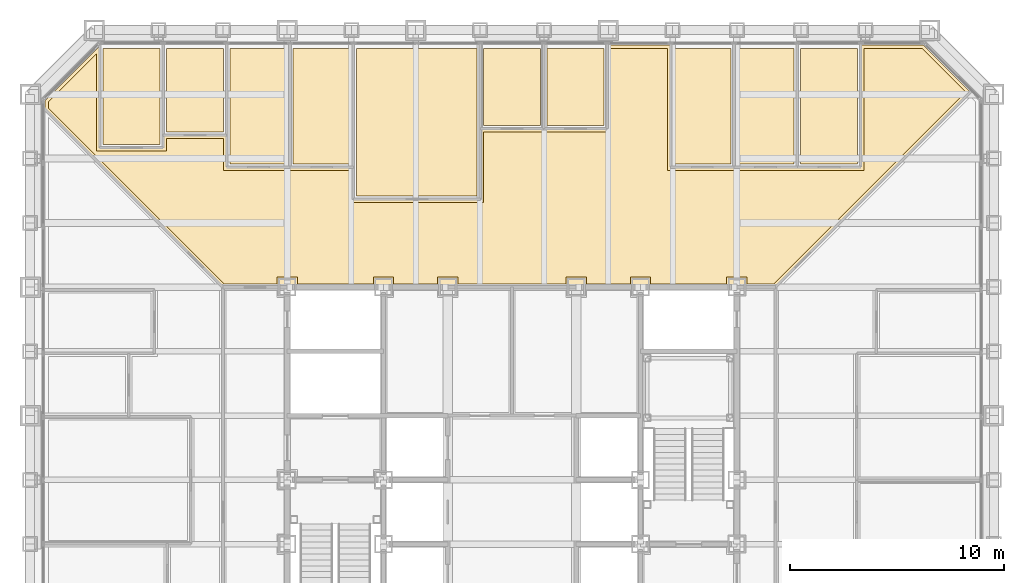
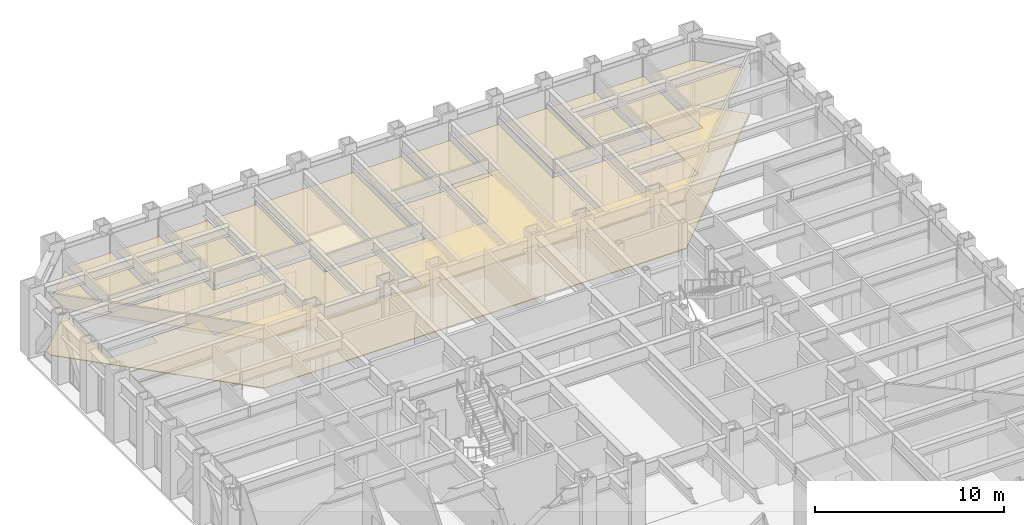
# One storey, part 17 of 17: 12 coverings.
"""IFC4 building model written with IfcOpenShell, lengths in metres."""

from ifc_helpers import new_model, si_unit, direction, frame, origin, place, context, subcontext, project, spatial, polyline, outline, extrude, material, layer, layer_set, type_object, element, save


model = new_model("IFC4")

# Units and contexts
model_context = context("Model", 3, precision=1e-05, world=origin(), true_north=direction((0.0, 1.0)))
body_context = subcontext(model_context, "Body", "Model", "MODEL_VIEW")
ifc_project = project(units=[si_unit("LENGTHUNIT", "METRE"), si_unit("AREAUNIT", "SQUARE_METRE"), si_unit("VOLUMEUNIT", "CUBIC_METRE"), si_unit("PLANEANGLEUNIT", "RADIAN"), si_unit("MASSUNIT", "GRAM", prefix="KILO")], contexts=[model_context])

# Site, building, storey
site_placement = place(None, origin())
site = spatial("IfcSite", under=ifc_project, at=site_placement, CompositionType="ELEMENT")
building_placement = place(site_placement, origin())
building = spatial("IfcBuilding", under=site, at=building_placement, Name="Chuquiago Exchange Tower", CompositionType="ELEMENT")
storey_placement = place(building_placement, frame((0.0, 0.0, 42.300048828125)))
storey = spatial("IfcBuildingStorey", under=building, at=storey_placement, Name="L08", CompositionType="ELEMENT", Elevation=42.300048828125)

# Coverings
ifc_material_1 = material(Name="Mineral fibre tile, 600 x 600, on pale metal grid", Category="mineral fibre")
ifc_layer_1 = layer(ifc_material_1, 0.02001953125)
ifc_layer_set_1 = layer_set([ifc_layer_1], Name="CL1 suspended tile ceiling 20")
covering_type_1 = type_object("IfcCoveringType", Name="CL1 suspended tile ceiling 20", PredefinedType="CEILING", material=ifc_layer_set_1)
covering_1_placement = place(storey_placement, frame((0.0, 0.0, 3.0)))
element("IfcCovering", 1, at=covering_1_placement, inside=storey, type_object=covering_type_1, Name="Ceiling Comms room", PredefinedType="CEILING", context=body_context, shape_type="SweptSolid", body=[
    extrude(outline(polyline([(6.060302734375, 44.14990234375), (6.060302734375, 39.64990234375), (3.3984375, 39.64990234375), (3.3984375, 44.14990234375), (6.060302734375, 44.14990234375)])), origin(), (0.0, 0.0, 1.0), 0.02001953125),
])
covering_2_placement = place(storey_placement, frame((0.0, 0.0, 3.0)))
element("IfcCovering", 2, at=covering_2_placement, inside=storey, type_object=covering_type_1, Name="Ceiling Store", PredefinedType="CEILING", context=body_context, shape_type="SweptSolid", body=[
    extrude(outline(polyline([(9.022216796875, 40.25), (6.3603515625, 40.25), (6.3603515625, 44.14990234375), (9.022216796875, 44.14990234375), (9.022216796875, 40.25)])), origin(), (0.0, 0.0, 1.0), 0.02001953125),
])
covering_3_placement = place(storey_placement, frame((0.0, 0.0, 3.0)))
element("IfcCovering", 3, at=covering_3_placement, inside=storey, type_object=covering_type_1, Name="Ceiling Office", PredefinedType="CEILING", context=body_context, shape_type="SweptSolid", body=[
    extrude(outline(polyline([(11.98388671875, 38.75), (9.322021484375, 38.75), (9.322021484375, 44.14990234375), (11.98388671875, 44.14990234375), (11.98388671875, 38.75)])), origin(), (0.0, 0.0, 1.0), 0.02001953125),
])
covering_4_placement = place(storey_placement, frame((0.0, 0.0, 3.0)))
element("IfcCovering", 4, at=covering_4_placement, inside=storey, type_object=covering_type_1, Name="Ceiling Office", PredefinedType="CEILING", context=body_context, shape_type="SweptSolid", body=[
    extrude(outline(polyline([(14.945556640625, 38.75), (12.28369140625, 38.75), (12.28369140625, 44.14990234375), (14.945556640625, 44.14990234375), (14.945556640625, 38.75)])), origin(), (0.0, 0.0, 1.0), 0.02001953125),
])
covering_5_placement = place(storey_placement, frame((0.0, 0.0, 3.0)))
element("IfcCovering", 5, at=covering_5_placement, inside=storey, type_object=covering_type_1, Name="Ceiling Research office", PredefinedType="CEILING", context=body_context, shape_type="SweptSolid", body=[
    extrude(outline(polyline([(20.869140625, 37.25), (15.24560546875, 37.25), (15.24560546875, 44.14990234375), (20.869140625, 44.14990234375), (20.869140625, 37.25)])), origin(), (0.0, 0.0, 1.0), 0.02001953125),
])
covering_6_placement = place(storey_placement, frame((0.0, 0.0, 3.0)))
element("IfcCovering", 6, at=covering_6_placement, inside=storey, type_object=covering_type_1, Name="Ceiling Focus room", PredefinedType="CEILING", context=body_context, shape_type="SweptSolid", body=[
    extrude(outline(polyline([(23.830810546875, 40.550048828125), (21.169189453125, 40.550048828125), (21.169189453125, 44.14990234375), (23.830810546875, 44.14990234375), (23.830810546875, 40.550048828125)])), origin(), (0.0, 0.0, 1.0), 0.02001953125),
])
covering_7_placement = place(storey_placement, frame((0.0, 0.0, 3.0)))
element("IfcCovering", 7, at=covering_7_placement, inside=storey, type_object=covering_type_1, Name="Ceiling Focus room", PredefinedType="CEILING", context=body_context, shape_type="SweptSolid", body=[
    extrude(outline(polyline([(26.79248046875, 40.550048828125), (24.130859375, 40.550048828125), (24.130859375, 44.14990234375), (26.79248046875, 44.14990234375), (26.79248046875, 40.550048828125)])), origin(), (0.0, 0.0, 1.0), 0.02001953125),
])
covering_8_placement = place(storey_placement, frame((0.0, 0.0, 3.0)))
element("IfcCovering", 8, at=covering_8_placement, inside=storey, type_object=covering_type_1, Name="Ceiling Compliance office", PredefinedType="CEILING", context=body_context, shape_type="SweptSolid", body=[
    extrude(outline(polyline([(32.71630859375, 38.75), (30.054443359375, 38.75), (30.054443359375, 44.14990234375), (32.71630859375, 44.14990234375), (32.71630859375, 38.75)])), origin(), (0.0, 0.0, 1.0), 0.02001953125),
])
covering_9_placement = place(storey_placement, frame((0.0, 0.0, 3.0)))
element("IfcCovering", 9, at=covering_9_placement, inside=storey, type_object=covering_type_1, Name="Ceiling Compliance office", PredefinedType="CEILING", context=body_context, shape_type="SweptSolid", body=[
    extrude(outline(polyline([(35.677978515625, 38.75), (33.01611328125, 38.75), (33.01611328125, 44.14990234375), (35.677978515625, 44.14990234375), (35.677978515625, 38.75)])), origin(), (0.0, 0.0, 1.0), 0.02001953125),
])
covering_10_placement = place(storey_placement, frame((0.0, 0.0, 3.0)))
element("IfcCovering", 10, at=covering_10_placement, inside=storey, type_object=covering_type_1, Name="Ceiling Office", PredefinedType="CEILING", context=body_context, shape_type="SweptSolid", body=[
    extrude(outline(polyline([(38.6396484375, 38.75), (35.977783203125, 38.75), (35.977783203125, 44.14990234375), (38.6396484375, 44.14990234375), (38.6396484375, 38.75)])), origin(), (0.0, 0.0, 1.0), 0.02001953125),
])
covering_11_placement = place(storey_placement, frame((0.0, 0.0, 3.0)))
element("IfcCovering", 11, at=covering_11_placement, inside=storey, type_object=covering_type_1, Name="Ceiling Trading floor north", PredefinedType="CEILING", context=body_context, shape_type="SweptSolid", body=[
    extrude(outline(polyline([(3.098388671875, 43.896484375), (3.098388671875, 39.35009765625), (6.3603515625, 39.35009765625), (6.3603515625, 39.949951171875), (9.022216796875, 39.949951171875), (9.022216796875, 38.449951171875), (14.945556640625, 38.449951171875), (14.945556640625, 36.949951171875), (21.169189453125, 36.949951171875), (21.169189453125, 40.25), (27.092529296875, 40.25), (27.092529296875, 44.14990234375), (29.75439453125, 44.14990234375), (29.75439453125, 38.449951171875), (38.939697265625, 38.449951171875), (38.939697265625, 44.14990234375), (41.64794921875, 44.14990234375), (43.692626953125, 42.10546875), (34.7373046875, 33.14990234375), (33.47509765625, 33.14990234375), (33.47509765625, 33.47509765625), (32.52490234375, 33.47509765625), (32.52490234375, 33.14990234375), (28.97509765625, 33.14990234375), (28.97509765625, 33.47509765625), (28.02490234375, 33.47509765625), (28.02490234375, 33.14990234375), (25.97509765625, 33.14990234375), (25.97509765625, 33.47509765625), (25.02490234375, 33.47509765625), (25.02490234375, 33.14990234375), (19.97509765625, 33.14990234375), (19.97509765625, 33.47509765625), (19.02490234375, 33.47509765625), (19.02490234375, 33.14990234375), (16.97509765625, 33.14990234375), (16.97509765625, 33.47509765625), (16.02490234375, 33.47509765625), (16.02490234375, 33.14990234375), (12.47509765625, 33.14990234375), (12.47509765625, 33.47509765625), (11.52490234375, 33.47509765625), (11.52490234375, 33.14990234375), (9.0625, 33.14990234375), (0.85009765625, 41.36279296875), (0.85009765625, 41.64794921875), (3.098388671875, 43.896484375)])), origin(), (0.0, 0.0, 1.0), 0.02001953125),
])
ifc_material_2 = material(Name="Steel raised floor panel", Category="steel")
ifc_layer_2 = layer(ifc_material_2, 0.0400390625)
ifc_layer_set_2 = layer_set([ifc_layer_2], Name="RF1 raised access floor 40")
covering_type_2 = type_object("IfcCoveringType", Name="RF1 raised access floor 40", PredefinedType="FLOORING", material=ifc_layer_set_2)
covering_12_placement = place(storey_placement, frame((0.0, 0.0, -0.0400390625)))
element("IfcCovering", 12, at=covering_12_placement, inside=storey, type_object=covering_type_2, Name="Raised access floor Trading floor north", PredefinedType="FLOORING", context=body_context, shape_type="SweptSolid", body=[
    extrude(outline(polyline([(0.699951171875, 41.710205078125), (3.289794921875, 44.300048828125), (3.24853515625, 44.258544921875), (3.24853515625, 39.5), (6.210205078125, 39.5), (6.210205078125, 40.10009765625), (9.172119140625, 40.10009765625), (9.172119140625, 38.60009765625), (15.095703125, 38.60009765625), (15.095703125, 37.10009765625), (21.01904296875, 37.10009765625), (21.01904296875, 40.39990234375), (26.942626953125, 40.39990234375), (26.942626953125, 44.300048828125), (29.904296875, 44.300048828125), (29.904296875, 38.60009765625), (38.789794921875, 38.60009765625), (38.789794921875, 44.300048828125), (41.710205078125, 44.300048828125), (43.90478515625, 42.10546875), (34.799560546875, 33.0), (9.00048828125, 33.0), (0.699951171875, 41.30078125), (0.699951171875, 41.710205078125)])), origin(), (0.0, 0.0, 1.0), 0.0400390625),
])

save(model, "model.ifc")
